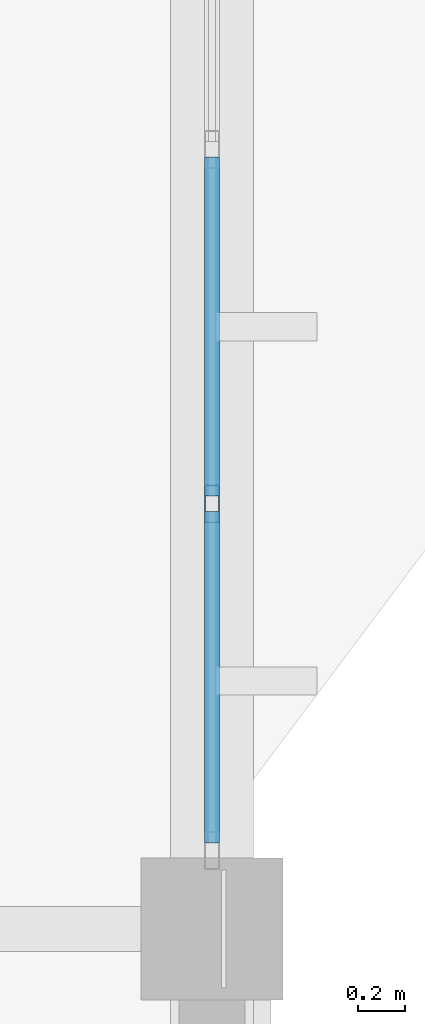
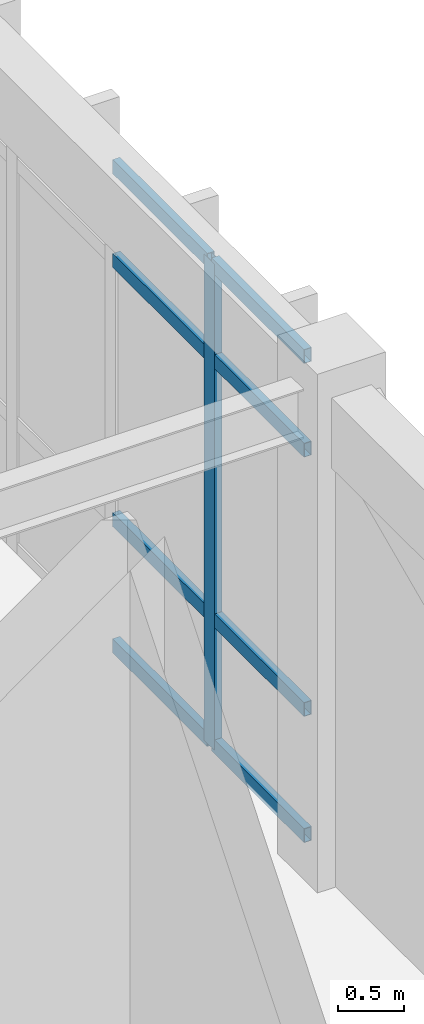
# One storey, part 167 of 236: 9 members, 1 element without a shape of its own.
"""IFC4 building model written with IfcOpenShell, lengths in metres."""

from ifc_helpers import new_model, si_unit, direction, frame, origin, origin_2d, place, context, subcontext, project, spatial, hollow_rectangle, extrude, material, layer, layer_set, material_profile, profile_set, type_object, element, aggregate, save


model = new_model("IFC4")

# Units and contexts
model_context = context("Model", 3, precision=1e-05, world=origin(), true_north=direction((0.0, 1.0)))
body_context = subcontext(model_context, "Body", "Model", "MODEL_VIEW")
ifc_project = project(units=[si_unit("LENGTHUNIT", "METRE"), si_unit("AREAUNIT", "SQUARE_METRE"), si_unit("VOLUMEUNIT", "CUBIC_METRE"), si_unit("PLANEANGLEUNIT", "RADIAN"), si_unit("MASSUNIT", "GRAM", prefix="KILO")], contexts=[model_context])

# Site, building, storey
site_placement = place(None, origin())
site = spatial("IfcSite", under=ifc_project, at=site_placement, CompositionType="ELEMENT")
building_placement = place(site_placement, origin())
building = spatial("IfcBuilding", under=site, at=building_placement, Name="Pandanus Reach Market Hall", CompositionType="ELEMENT")
storey_placement = place(building_placement, frame((0.0, 0.0, 5.39990234375)))
storey = spatial("IfcBuildingStorey", under=building, at=storey_placement, Name="L01", CompositionType="ELEMENT", Elevation=5.39990234375)

# Curtain wall, members
ifc_material_1 = material(Name="Bronze anodised aluminium and low-E glass", Category="aluminium")
ifc_layer = layer(ifc_material_1, 0.159912109375, Name="CW-28")
ifc_layer_set = layer_set([ifc_layer], Name="Bronze anodised aluminium and low-E glass")
curtain_wall_type = type_object("IfcCurtainWallType", Name="CW-28", PredefinedType="NOTDEFINED", material=ifc_layer_set)
curtain_wall_placement = place(storey_placement, origin())
curtain_wall = element("IfcCurtainWall", 1, at=curtain_wall_placement, inside=storey, type_object=curtain_wall_type, Name="Glazed curtain wall CW-28 CW-0089", PredefinedType="NOTDEFINED")
ifc_material_2 = material(Name="Bronze anodised aluminium", Category="aluminium")
ifc_material_profile_1 = material_profile(ifc_material_2, hollow_rectangle(XDim=0.06494140625, YDim=0.159912109375, WallThickness=0.00390625, at=origin_2d()), Name="ALU65x160", Category="LoadBearing")
ifc_profile_set_1 = profile_set([ifc_material_profile_1], Name="Bronze anodised aluminium")
member_type_1 = type_object("IfcMemberType", Name="CW-M1", PredefinedType="MULLION", material=ifc_profile_set_1)
member_1_placement = place(storey_placement, frame((180.0, 78.60009765625, 0.0), z_axis=(0.0, 0.0, 1.0), x_axis=(-1.0, 0.0, 0.0)))
member_1 = element("IfcMember", 2, at=member_1_placement, type_object=member_type_1, Name="CW-28 mullion 2", PredefinedType="MULLION", context=body_context, shape_type="SweptSolid", body=[
    extrude(hollow_rectangle(XDim=0.06494140625, YDim=0.159912109375, WallThickness=0.00390625, at=origin_2d()), origin(), (0.0, 0.0, 1.0), 4.5),
])
ifc_material_profile_2 = material_profile(ifc_material_2, hollow_rectangle(XDim=0.06494140625, YDim=0.1298828125, WallThickness=0.00390625, at=origin_2d()), Name="ALU65x130", Category="LoadBearing")
ifc_profile_set_2 = profile_set([ifc_material_profile_2], Name="Bronze anodised aluminium")
member_type_2 = type_object("IfcMemberType", Name="CW-T1", PredefinedType="USERDEFINED", material=ifc_profile_set_2)
member_2_placement = place(storey_placement, frame((180.0, 77.1650390625, 0.03271484375), z_axis=(0.0, 1.0, 0.0), x_axis=(-1.0, 0.0, 0.0)))
member_2 = element("IfcMember", 3, at=member_2_placement, type_object=member_type_2, Name="CW-28 transom 1.1", ObjectType="TRANSOM", PredefinedType="USERDEFINED", context=body_context, shape_type="SweptSolid", body=[
    extrude(hollow_rectangle(XDim=0.06494140625, YDim=0.1298828125, WallThickness=0.00390625, at=origin_2d()), origin(), (0.0, 0.0, 1.0), 1.40234375),
])
member_3_placement = place(storey_placement, frame((180.0, 77.1650390625, 1.2001953125), z_axis=(0.0, 1.0, 0.0), x_axis=(-1.0, 0.0, 0.0)))
member_3 = element("IfcMember", 4, at=member_3_placement, type_object=member_type_2, Name="CW-28 transom 1.2", ObjectType="TRANSOM", PredefinedType="USERDEFINED", context=body_context, shape_type="SweptSolid", body=[
    extrude(hollow_rectangle(XDim=0.06494140625, YDim=0.1298828125, WallThickness=0.00390625, at=origin_2d()), origin(), (0.0, 0.0, 1.0), 1.40234375),
])
member_4_placement = place(storey_placement, frame((180.0, 77.1650390625, 3.60009765625), z_axis=(0.0, 1.0, 0.0), x_axis=(-1.0, 0.0, 0.0)))
member_4 = element("IfcMember", 5, at=member_4_placement, type_object=member_type_2, Name="CW-28 transom 1.3", ObjectType="TRANSOM", PredefinedType="USERDEFINED", context=body_context, shape_type="SweptSolid", body=[
    extrude(hollow_rectangle(XDim=0.06494140625, YDim=0.1298828125, WallThickness=0.00390625, at=origin_2d()), origin(), (0.0, 0.0, 1.0), 1.40234375),
])
member_5_placement = place(storey_placement, frame((180.0, 77.1650390625, 4.467529296875), z_axis=(0.0, 1.0, 0.0), x_axis=(-1.0, 0.0, 0.0)))
member_5 = element("IfcMember", 6, at=member_5_placement, type_object=member_type_2, Name="CW-28 transom 1.4", ObjectType="TRANSOM", PredefinedType="USERDEFINED", context=body_context, shape_type="SweptSolid", body=[
    extrude(hollow_rectangle(XDim=0.06494140625, YDim=0.1298828125, WallThickness=0.00390625, at=origin_2d()), origin(), (0.0, 0.0, 1.0), 1.40234375),
])
member_6_placement = place(storey_placement, frame((180.0, 78.632568359375, 0.03271484375), z_axis=(0.0, 1.0, 0.0), x_axis=(-1.0, 0.0, 0.0)))
member_6 = element("IfcMember", 7, at=member_6_placement, type_object=member_type_2, Name="CW-28 transom 2.1", ObjectType="TRANSOM", PredefinedType="USERDEFINED", context=body_context, shape_type="SweptSolid", body=[
    extrude(hollow_rectangle(XDim=0.06494140625, YDim=0.1298828125, WallThickness=0.00390625, at=origin_2d()), origin(), (0.0, 0.0, 1.0), 1.434814453125),
])
member_7_placement = place(storey_placement, frame((180.0, 78.632568359375, 1.2001953125), z_axis=(0.0, 1.0, 0.0), x_axis=(-1.0, 0.0, 0.0)))
member_7 = element("IfcMember", 8, at=member_7_placement, type_object=member_type_2, Name="CW-28 transom 2.2", ObjectType="TRANSOM", PredefinedType="USERDEFINED", context=body_context, shape_type="SweptSolid", body=[
    extrude(hollow_rectangle(XDim=0.06494140625, YDim=0.1298828125, WallThickness=0.00390625, at=origin_2d()), origin(), (0.0, 0.0, 1.0), 1.434814453125),
])
member_8_placement = place(storey_placement, frame((180.0, 78.632568359375, 3.60009765625), z_axis=(0.0, 1.0, 0.0), x_axis=(-1.0, 0.0, 0.0)))
member_8 = element("IfcMember", 9, at=member_8_placement, type_object=member_type_2, Name="CW-28 transom 2.3", ObjectType="TRANSOM", PredefinedType="USERDEFINED", context=body_context, shape_type="SweptSolid", body=[
    extrude(hollow_rectangle(XDim=0.06494140625, YDim=0.1298828125, WallThickness=0.00390625, at=origin_2d()), origin(), (0.0, 0.0, 1.0), 1.434814453125),
])
member_9_placement = place(storey_placement, frame((180.0, 78.632568359375, 4.467529296875), z_axis=(0.0, 1.0, 0.0), x_axis=(-1.0, 0.0, 0.0)))
member_9 = element("IfcMember", 10, at=member_9_placement, type_object=member_type_2, Name="CW-28 transom 2.4", ObjectType="TRANSOM", PredefinedType="USERDEFINED", context=body_context, shape_type="SweptSolid", body=[
    extrude(hollow_rectangle(XDim=0.06494140625, YDim=0.1298828125, WallThickness=0.00390625, at=origin_2d()), origin(), (0.0, 0.0, 1.0), 1.434814453125),
])
aggregate(curtain_wall, [member_1, member_2, member_3, member_4, member_5, member_6, member_7, member_8, member_9])

save(model, "model.ifc")
